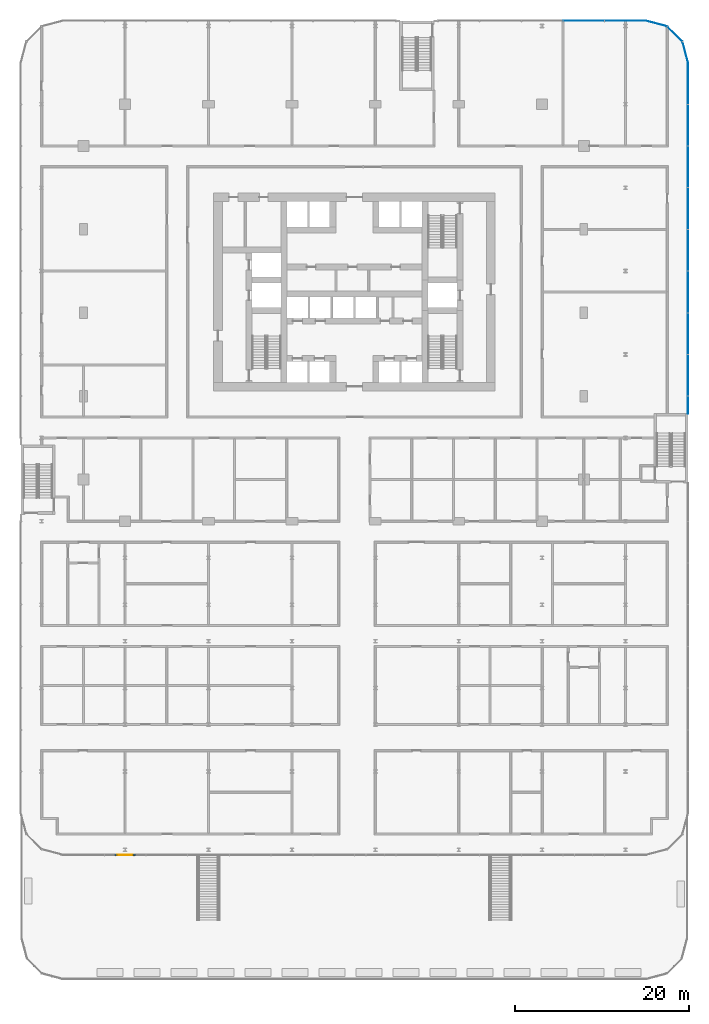
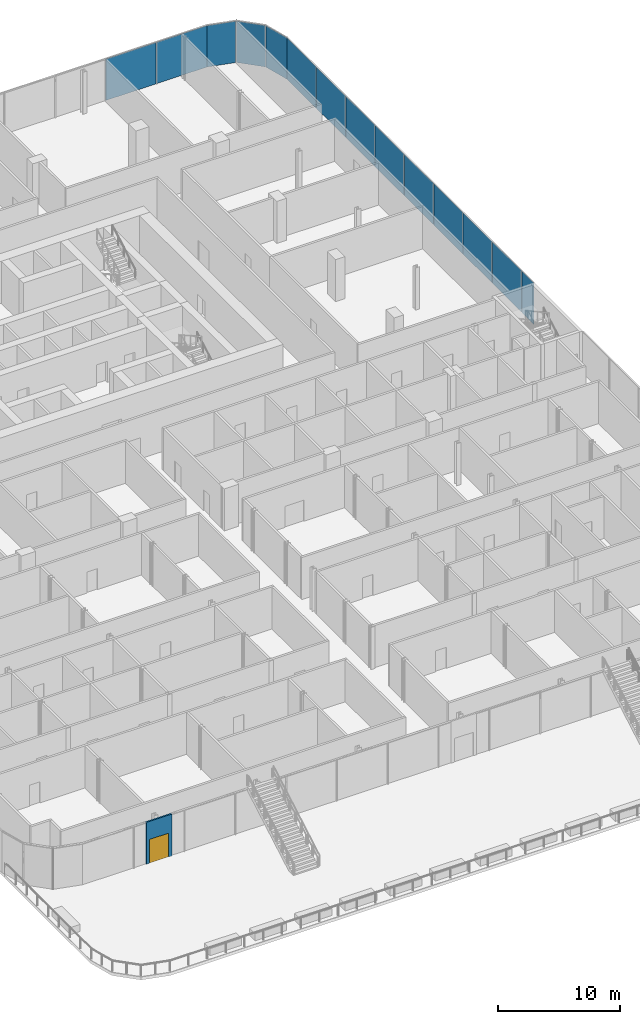
# One storey, part 30 of 45: 14 plates, 1 door, 1 wall, 1 opening, 3 elements without a shape of their own.
"""IFC4 building model written with IfcOpenShell, lengths in metres."""

from ifc_helpers import new_model, si_unit, direction, frame, frame_2d, origin, origin_2d, place, context, subcontext, project, spatial, rectangle, extrude, material, layer, layer_set, type_object, element, fill, aggregate, save


model = new_model("IFC4")

# Units and contexts
model_context = context("Model", 3, precision=1e-05, world=origin(), true_north=direction((0.0, 1.0)))
body_context = subcontext(model_context, "Body", "Model", "MODEL_VIEW")
ifc_project = project(units=[si_unit("LENGTHUNIT", "METRE"), si_unit("AREAUNIT", "SQUARE_METRE"), si_unit("VOLUMEUNIT", "CUBIC_METRE"), si_unit("PLANEANGLEUNIT", "RADIAN"), si_unit("MASSUNIT", "GRAM", prefix="KILO")], contexts=[model_context])

# Site, building, storey
site_placement = place(None, origin())
site = spatial("IfcSite", under=ifc_project, at=site_placement, CompositionType="ELEMENT")
building_placement = place(site_placement, origin())
building = spatial("IfcBuilding", under=site, at=building_placement, Name="Madar Terraces", CompositionType="ELEMENT")
storey_placement = place(building_placement, frame((0.0, 0.0, 6.0)))
storey = spatial("IfcBuildingStorey", under=building, at=storey_placement, Name="L01", CompositionType="ELEMENT", Elevation=6.0)

# Curtain wall, plates
ifc_material_1 = material(Name="Glass, clear low-iron, with black aluminium frame", Category="aluminium")
ifc_layer_1 = layer(ifc_material_1, 0.199951171875)
ifc_layer_set_1 = layer_set([ifc_layer_1], Name="Facade curtain wall, shopfront glazing")
curtain_wall_type = type_object("IfcCurtainWallType", Name="Facade curtain wall, shopfront glazing", PredefinedType="NOTDEFINED", material=ifc_layer_set_1)
curtain_wall_1_placement = place(storey_placement, origin())
curtain_wall_1 = element("IfcCurtainWall", 1, at=curtain_wall_1_placement, inside=storey, type_object=curtain_wall_type, Name="Outer skin curtain wall east bay 1", PredefinedType="NOTDEFINED")
ifc_material_2 = material(Name="Glass, ceramic frit dark grey", Category="glass")
ifc_layer_2 = layer(ifc_material_2, 0.028076171875)
ifc_layer_set_2 = layer_set([ifc_layer_2], Name="Facade glass panel 28")
plate_type = type_object("IfcPlateType", Name="Facade glass panel 28", PredefinedType="CURTAIN_PANEL", material=ifc_layer_set_2)
plate_1_placement = place(storey_placement, frame((69.60009765625, 13.385009765625, 0.0), z_axis=(0.0, 0.0, 1.0), x_axis=(0.0, 1.0, 0.0)))
plate_1 = element("IfcPlate", 2, at=plate_1_placement, type_object=plate_type, Name="Panel 9", PredefinedType="CURTAIN_PANEL", context=body_context, shape_type="SweptSolid", body=[
    extrude(rectangle(XDim=1.969970703125, YDim=0.028076171875, at=origin_2d()), origin(), (0.0, 0.0, 1.0), 4.139892578125),
])
plate_2_placement = place(storey_placement, frame((69.60009765625, 16.800048828125, 0.0), z_axis=(0.0, 0.0, 1.0), x_axis=(0.0, 1.0, 0.0)))
plate_2 = element("IfcPlate", 3, at=plate_2_placement, type_object=plate_type, Name="Panel 10", PredefinedType="CURTAIN_PANEL", context=body_context, shape_type="SweptSolid", body=[
    extrude(rectangle(XDim=4.739990234375, YDim=0.028076171875, at=origin_2d()), origin(), (0.0, 0.0, 1.0), 4.139892578125),
])
plate_3_placement = place(storey_placement, frame((69.60009765625, 21.60009765625, 0.0), z_axis=(0.0, 0.0, 1.0), x_axis=(0.0, 1.0, 0.0)))
plate_3 = element("IfcPlate", 4, at=plate_3_placement, type_object=plate_type, Name="Panel 11", PredefinedType="CURTAIN_PANEL", context=body_context, shape_type="SweptSolid", body=[
    extrude(rectangle(XDim=4.739990234375, YDim=0.028076171875, at=origin_2d()), origin(), (0.0, 0.0, 1.0), 4.139892578125),
])
plate_4_placement = place(storey_placement, frame((69.60009765625, 26.39990234375, 0.0), z_axis=(0.0, 0.0, 1.0), x_axis=(0.0, 1.0, 0.0)))
plate_4 = element("IfcPlate", 5, at=plate_4_placement, type_object=plate_type, Name="Panel 12", PredefinedType="CURTAIN_PANEL", context=body_context, shape_type="SweptSolid", body=[
    extrude(rectangle(XDim=4.739990234375, YDim=0.028076171875, at=origin_2d()), origin(), (0.0, 0.0, 1.0), 4.139892578125),
])
plate_5_placement = place(storey_placement, frame((69.60009765625, 31.199951171875, 0.0), z_axis=(0.0, 0.0, 1.0), x_axis=(0.0, 1.0, 0.0)))
plate_5 = element("IfcPlate", 6, at=plate_5_placement, type_object=plate_type, Name="Panel 13", PredefinedType="CURTAIN_PANEL", context=body_context, shape_type="SweptSolid", body=[
    extrude(rectangle(XDim=4.739990234375, YDim=0.028076171875, at=origin_2d()), origin(), (0.0, 0.0, 1.0), 4.139892578125),
])
plate_6_placement = place(storey_placement, frame((69.60009765625, 36.0, 0.0), z_axis=(0.0, 0.0, 1.0), x_axis=(0.0, 1.0, 0.0)))
plate_6 = element("IfcPlate", 7, at=plate_6_placement, type_object=plate_type, Name="Panel 14", PredefinedType="CURTAIN_PANEL", context=body_context, shape_type="SweptSolid", body=[
    extrude(rectangle(XDim=4.739990234375, YDim=0.028076171875, at=origin_2d()), origin(), (0.0, 0.0, 1.0), 4.139892578125),
])
plate_7_placement = place(storey_placement, frame((69.60009765625, 40.800048828125, 0.0), z_axis=(0.0, 0.0, 1.0), x_axis=(0.0, 1.0, 0.0)))
plate_7 = element("IfcPlate", 8, at=plate_7_placement, type_object=plate_type, Name="Panel 15", PredefinedType="CURTAIN_PANEL", context=body_context, shape_type="SweptSolid", body=[
    extrude(rectangle(XDim=4.739990234375, YDim=0.028076171875, at=origin_2d()), origin(), (0.0, 0.0, 1.0), 4.139892578125),
])
plate_8_placement = place(storey_placement, frame((69.60009765625, 45.60009765625, 0.0), z_axis=(0.0, 0.0, 1.0), x_axis=(0.0, 1.0, 0.0)))
plate_8 = element("IfcPlate", 9, at=plate_8_placement, type_object=plate_type, Name="Panel 16", PredefinedType="CURTAIN_PANEL", context=body_context, shape_type="SweptSolid", body=[
    extrude(rectangle(XDim=4.739990234375, YDim=0.028076171875, at=origin_2d()), origin(), (0.0, 0.0, 1.0), 4.139892578125),
])
plate_9_placement = place(storey_placement, frame((69.60009765625, 50.4150390625, 0.0), z_axis=(0.0, 0.0, 1.0), x_axis=(0.0, 1.0, 0.0)))
plate_9 = element("IfcPlate", 10, at=plate_9_placement, type_object=plate_type, Name="Panel 17", PredefinedType="CURTAIN_PANEL", context=body_context, shape_type="SweptSolid", body=[
    extrude(rectangle(XDim=4.77001953125, YDim=0.028076171875, at=origin_2d()), origin(), (0.0, 0.0, 1.0), 4.139892578125),
])
aggregate(curtain_wall_1, [plate_1, plate_2, plate_3, plate_4, plate_5, plate_6, plate_7, plate_8, plate_9])

curtain_wall_2_placement = place(storey_placement, origin())
curtain_wall_2 = element("IfcCurtainWall", 11, at=curtain_wall_2_placement, inside=storey, type_object=curtain_wall_type, Name="Outer skin curtain wall north bay 1", PredefinedType="NOTDEFINED")
plate_10_placement = place(storey_placement, frame((62.4150390625, 57.60009765625, 0.0), z_axis=(0.0, 0.0, 1.0), x_axis=(-1.0, 0.0, 0.0)))
plate_10 = element("IfcPlate", 12, at=plate_10_placement, type_object=plate_type, Name="Panel 1", PredefinedType="CURTAIN_PANEL", context=body_context, shape_type="SweptSolid", body=[
    extrude(rectangle(XDim=4.77001953125, YDim=0.028076171875, at=origin_2d()), origin(), (0.0, 0.0, 1.0), 4.139892578125),
])
plate_11_placement = place(storey_placement, frame((57.60009765625, 57.60009765625, 0.0), z_axis=(0.0, 0.0, 1.0), x_axis=(-1.0, 0.0, 0.0)))
plate_11 = element("IfcPlate", 13, at=plate_11_placement, type_object=plate_type, Name="Panel 2", PredefinedType="CURTAIN_PANEL", context=body_context, shape_type="SweptSolid", body=[
    extrude(rectangle(XDim=4.739990234375, YDim=0.028076171875, at=origin_2d()), origin(), (0.0, 0.0, 1.0), 4.139892578125),
])
aggregate(curtain_wall_2, [plate_10, plate_11])

curtain_wall_3_placement = place(storey_placement, origin())
curtain_wall_3 = element("IfcCurtainWall", 14, at=curtain_wall_3_placement, inside=storey, type_object=curtain_wall_type, Name="Outer skin curtain wall north-east corner", PredefinedType="NOTDEFINED")
plate_12_placement = place(storey_placement, frame((69.2822265625, 53.985595703125, 0.0), z_axis=(0.0, 0.0, 1.0), x_axis=(-0.258819021888, 0.965925832509, 0.0)))
plate_12 = element("IfcPlate", 15, at=plate_12_placement, type_object=plate_type, Name="Panel 1", PredefinedType="CURTAIN_PANEL", context=body_context, shape_type="SweptSolid", body=[
    extrude(rectangle(XDim=2.45458984375, YDim=0.028076171875, at=origin_2d()), origin(), (0.0, 0.0, 1.0), 4.139892578125),
])
plate_13_placement = place(storey_placement, frame((68.078369140625, 56.078369140625, 0.0), z_axis=(0.0, 0.0, 1.0), x_axis=(-0.707106781187, 0.707106781187, 0.0)))
plate_13 = element("IfcPlate", 16, at=plate_13_placement, type_object=plate_type, Name="Panel 2", PredefinedType="CURTAIN_PANEL", context=body_context, shape_type="SweptSolid", body=[
    extrude(rectangle(XDim=2.424560546875, YDim=0.028076171875, at=origin_2d()), origin(), (0.0, 0.0, 1.0), 4.139892578125),
])
plate_14_placement = place(storey_placement, frame((65.985595703125, 57.2822265625, 0.0), z_axis=(0.0, 0.0, 1.0), x_axis=(-0.965925832509, 0.258819021888, 0.0)))
plate_14 = element("IfcPlate", 17, at=plate_14_placement, type_object=plate_type, Name="Panel 3", PredefinedType="CURTAIN_PANEL", context=body_context, shape_type="SweptSolid", body=[
    extrude(rectangle(XDim=2.45458984375, YDim=0.028076171875, at=origin_2d()), origin(), (0.0, 0.0, 1.0), 4.139892578125),
])
aggregate(curtain_wall_3, [plate_12, plate_13, plate_14])

# Wall, opening, door
ifc_material_3 = material(Name="Aluminium composite panel, black, over insulated backing", Category="aluminium")
ifc_layer_3 = layer(ifc_material_3, 0.14990234375)
ifc_layer_set_3 = layer_set([ifc_layer_3], Name="Facade bay panel 150")
wall_type = type_object("IfcWallType", Name="Facade bay panel 150", PredefinedType="SOLIDWALL", material=ifc_layer_set_3)
wall_placement = place(storey_placement, frame((3.60009765625, -38.39990234375, 0.0), z_axis=(0.0, 0.0, 1.0), x_axis=(1.0, 0.0, 0.0)))
wall = element("IfcWall", 18, at=wall_placement, inside=storey, type_object=wall_type, Name="Facade bay panel", PredefinedType="SOLIDWALL", context=body_context, shape_type="SweptSolid", body=[
    extrude(rectangle(XDim=2.39990234375, YDim=0.14990234375, at=frame_2d((1.199951171875, 0.0))), origin(), (0.0, 0.0, 1.0), 4.199951171875),
])
opening_placement = place(wall_placement, frame((0.300048828125, 0.0, 0.0)))
opening = element("IfcOpeningElement", 19, at=opening_placement, cuts=wall, Name="Opening ED1", PredefinedType="OPENING", context=body_context, shape_type="SweptSolid", body=[
    extrude(rectangle(XDim=1.800048828125, YDim=2.39990234375, at=frame_2d((0.89990234375, 1.199951171875))), frame((0.0, 0.0849609375, 0.0), z_axis=(0.0, -1.0, 0.0), x_axis=(1.0, 0.0, 0.0)), (0.0, 0.0, 1.0), 0.169921875),
])
ifc_material_4 = material(Name="Glass, clear, with black aluminium frame", Category="aluminium")
door_type = type_object("IfcDoorType", Name="Balcony and terrace sliding door 1800 x 2400", OperationType="SLIDING_TO_LEFT", PredefinedType="DOOR", material=ifc_material_4)
door_placement = place(opening_placement, origin())
door = element("IfcDoor", 20, at=door_placement, inside=storey, type_object=door_type, Name="Balcony door", OperationType="SLIDING_TO_LEFT", OverallHeight=2.39990234375, OverallWidth=1.800048828125, PredefinedType="DOOR", context=body_context, shape_type="SweptSolid", body=[
    extrude(rectangle(XDim=1.800048828125, YDim=2.39990234375, at=frame_2d((0.89990234375, 1.199951171875))), frame((0.0, 0.02490234375, 0.0), z_axis=(0.0, -1.0, 0.0), x_axis=(1.0, 0.0, 0.0)), (0.0, 0.0, 1.0), 0.050048828125),
])
fill(opening, door)

save(model, "model.ifc")
